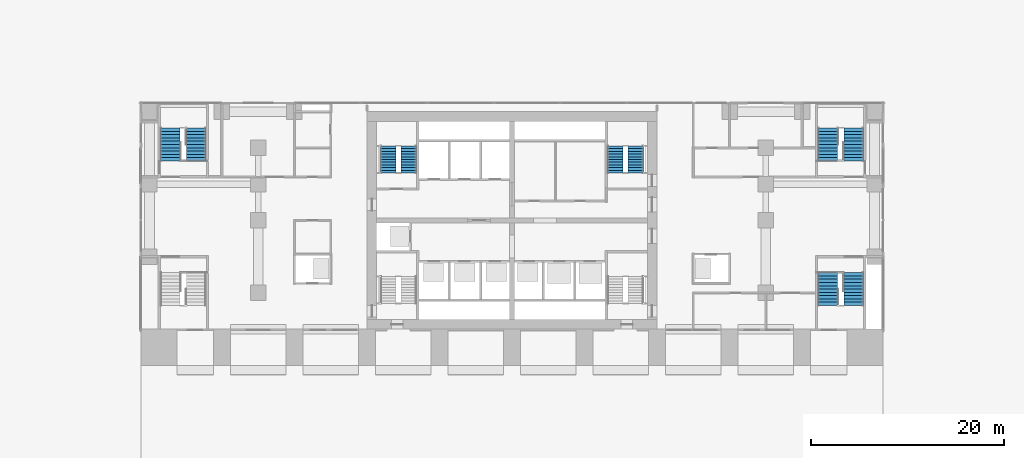
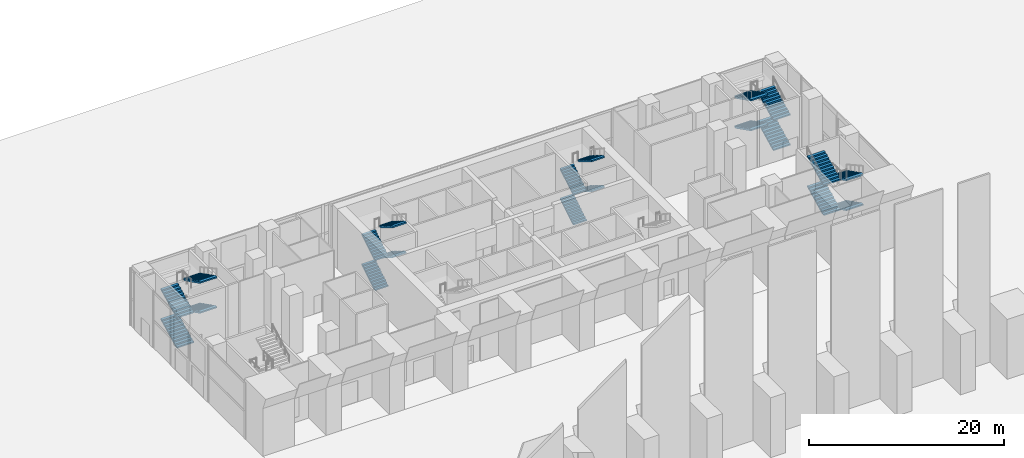
# One storey, part 16 of 21: 20 stair flights, 5 elements without a shape of their own.
"""IFC4 building model written with IfcOpenShell, lengths in metres."""

from ifc_helpers import new_model, si_unit, direction, frame, origin, place, context, subcontext, project, spatial, polyline, outline, extrude, material, type_object, element, aggregate, save


model = new_model("IFC4")

# Units and contexts
model_context = context("Model", 3, precision=1e-05, world=origin(), true_north=direction((0.0, 1.0)))
body_context = subcontext(model_context, "Body", "Model", "MODEL_VIEW")
ifc_project = project(units=[si_unit("LENGTHUNIT", "METRE"), si_unit("AREAUNIT", "SQUARE_METRE"), si_unit("VOLUMEUNIT", "CUBIC_METRE"), si_unit("PLANEANGLEUNIT", "RADIAN"), si_unit("MASSUNIT", "GRAM", prefix="KILO")], contexts=[model_context])

# Site, building, storey
site_placement = place(None, origin())
site = spatial("IfcSite", under=ifc_project, at=site_placement, CompositionType="ELEMENT")
building_placement = place(site_placement, origin())
building = spatial("IfcBuilding", under=site, at=building_placement, Name="Pilkhan Gate Tower", CompositionType="ELEMENT")
storey_placement = place(building_placement, origin())
storey = spatial("IfcBuildingStorey", under=building, at=storey_placement, Name="L00", CompositionType="ELEMENT", Elevation=0.0)

# Stair, stair flights
ifc_material = material(Name="Concrete C40/50 precast", Category="concrete")
stair_type_1 = type_object("IfcStairType", Name="Stair PS1 170x340", PredefinedType="HALF_TURN_STAIR", material=ifc_material)
stair_1_placement = place(storey_placement, origin())
stair_1 = element("IfcStair", 1, at=stair_1_placement, inside=storey, type_object=stair_type_1, Name="Stair PS1 L00", PredefinedType="HALF_TURN_STAIR")
stair_flight_type_1 = type_object("IfcStairFlightType", Name="Stair flight PS1 170x340x11", PredefinedType="STRAIGHT", material=ifc_material)
stair_flight_1_placement = place(storey_placement, frame((39.64990234375, 88.64990234375, 0.0), z_axis=(0.0, 0.0, 1.0), x_axis=(0.0, 1.0, 0.0)))
stair_flight_1 = element("IfcStairFlight", 2, at=stair_flight_1_placement, type_object=stair_flight_type_1, Name="PS1 flight 1", NumberOfRisers=11, NumberOfTreads=10, PredefinedType="STRAIGHT", RiserHeight=0.170454545, TreadLength=0.34, context=body_context, shape_type="SweptSolid", body=[
    extrude(outline(polyline([(0.0, 0.0), (0.0, 0.17041015625), (0.340087890625, 0.17041015625), (0.340087890625, 0.3408203125), (0.679931640625, 0.3408203125), (0.679931640625, 0.511474609375), (1.02001953125, 0.511474609375), (1.02001953125, 0.681884765625), (1.360107421875, 0.681884765625), (1.360107421875, 0.852294921875), (1.699951171875, 0.852294921875), (1.699951171875, 1.022705078125), (2.0400390625, 1.022705078125), (2.0400390625, 1.193115234375), (2.3798828125, 1.193115234375), (2.3798828125, 1.363525390625), (2.719970703125, 1.363525390625), (2.719970703125, 1.5341796875), (3.06005859375, 1.5341796875), (3.06005859375, 1.70458984375), (3.39990234375, 1.70458984375), (3.39990234375, 1.875), (3.39990234375, 1.536865234375), (0.33447265625, 0.0), (0.0, 0.0)])), frame((0.0, 1.0, 0.0), z_axis=(0.0, -1.0, 0.0), x_axis=(1.0, 0.0, 0.0)), (0.0, 0.0, 1.0), 2.0),
])
stair_flight_2_placement = place(storey_placement, frame((42.35009765625, 92.050048828125, 1.875), z_axis=(0.0, 0.0, 1.0), x_axis=(0.0, -1.0, 0.0)))
stair_flight_2 = element("IfcStairFlight", 3, at=stair_flight_2_placement, type_object=stair_flight_type_1, Name="PS1 flight 2", NumberOfRisers=11, NumberOfTreads=10, PredefinedType="STRAIGHT", RiserHeight=0.170454545, TreadLength=0.34, context=body_context, shape_type="SweptSolid", body=[
    extrude(outline(polyline([(0.0, 0.0), (0.0, 0.17041015625), (0.340087890625, 0.17041015625), (0.340087890625, 0.3408203125), (0.679931640625, 0.3408203125), (0.679931640625, 0.511474609375), (1.02001953125, 0.511474609375), (1.02001953125, 0.681884765625), (1.360107421875, 0.681884765625), (1.360107421875, 0.852294921875), (1.699951171875, 0.852294921875), (1.699951171875, 1.022705078125), (2.0400390625, 1.022705078125), (2.0400390625, 1.193115234375), (2.3798828125, 1.193115234375), (2.3798828125, 1.363525390625), (2.719970703125, 1.363525390625), (2.719970703125, 1.5341796875), (3.06005859375, 1.5341796875), (3.06005859375, 1.70458984375), (3.39990234375, 1.70458984375), (3.39990234375, 1.875), (3.39990234375, 1.536865234375), (0.33447265625, 0.0), (0.0, 0.0)])), frame((0.0, 1.0, 0.0), z_axis=(0.0, -1.0, 0.0), x_axis=(1.0, 0.0, 0.0)), (0.0, 0.0, 1.0), 2.0),
])
stair_flight_3_placement = place(storey_placement, frame((39.64990234375, 88.64990234375, 3.75), z_axis=(0.0, 0.0, 1.0), x_axis=(0.0, 1.0, 0.0)))
stair_flight_3 = element("IfcStairFlight", 4, at=stair_flight_3_placement, type_object=stair_flight_type_1, Name="PS1 flight 3", NumberOfRisers=11, NumberOfTreads=10, PredefinedType="STRAIGHT", RiserHeight=0.170454545, TreadLength=0.34, context=body_context, shape_type="SweptSolid", body=[
    extrude(outline(polyline([(0.0, 0.0), (0.0, 0.17041015625), (0.340087890625, 0.17041015625), (0.340087890625, 0.3408203125), (0.679931640625, 0.3408203125), (0.679931640625, 0.511474609375), (1.02001953125, 0.511474609375), (1.02001953125, 0.681884765625), (1.360107421875, 0.681884765625), (1.360107421875, 0.852294921875), (1.699951171875, 0.852294921875), (1.699951171875, 1.022705078125), (2.0400390625, 1.022705078125), (2.0400390625, 1.193115234375), (2.3798828125, 1.193115234375), (2.3798828125, 1.363525390625), (2.719970703125, 1.363525390625), (2.719970703125, 1.5341796875), (3.06005859375, 1.5341796875), (3.06005859375, 1.70458984375), (3.39990234375, 1.70458984375), (3.39990234375, 1.875), (3.39990234375, 1.536865234375), (0.33447265625, 0.0), (0.0, 0.0)])), frame((0.0, 1.0, 0.0), z_axis=(0.0, -1.0, 0.0), x_axis=(1.0, 0.0, 0.0)), (0.0, 0.0, 1.0), 2.0),
])
stair_flight_4_placement = place(storey_placement, frame((42.35009765625, 92.050048828125, 5.625), z_axis=(0.0, 0.0, 1.0), x_axis=(0.0, -1.0, 0.0)))
stair_flight_4 = element("IfcStairFlight", 5, at=stair_flight_4_placement, type_object=stair_flight_type_1, Name="PS1 flight 4", NumberOfRisers=11, NumberOfTreads=10, PredefinedType="STRAIGHT", RiserHeight=0.170454545, TreadLength=0.34, context=body_context, shape_type="SweptSolid", body=[
    extrude(outline(polyline([(0.0, 0.0), (0.0, 0.17041015625), (0.340087890625, 0.17041015625), (0.340087890625, 0.3408203125), (0.679931640625, 0.3408203125), (0.679931640625, 0.511474609375), (1.02001953125, 0.511474609375), (1.02001953125, 0.681884765625), (1.360107421875, 0.681884765625), (1.360107421875, 0.852294921875), (1.699951171875, 0.852294921875), (1.699951171875, 1.022705078125), (2.0400390625, 1.022705078125), (2.0400390625, 1.193115234375), (2.3798828125, 1.193115234375), (2.3798828125, 1.363525390625), (2.719970703125, 1.363525390625), (2.719970703125, 1.5341796875), (3.06005859375, 1.5341796875), (3.06005859375, 1.70458984375), (3.39990234375, 1.70458984375), (3.39990234375, 1.875), (3.39990234375, 1.536865234375), (0.33447265625, 0.0), (0.0, 0.0)])), frame((0.0, 1.0, 0.0), z_axis=(0.0, -1.0, 0.0), x_axis=(1.0, 0.0, 0.0)), (0.0, 0.0, 1.0), 2.0),
])
aggregate(stair_1, [stair_flight_1, stair_flight_2, stair_flight_3, stair_flight_4])

stair_type_2 = type_object("IfcStairType", Name="Stair PS2 170x340", PredefinedType="HALF_TURN_STAIR", material=ifc_material)
stair_2_placement = place(storey_placement, origin())
stair_2 = element("IfcStair", 6, at=stair_2_placement, inside=storey, type_object=stair_type_2, Name="Stair PS2 L00", PredefinedType="HALF_TURN_STAIR")
stair_flight_type_2 = type_object("IfcStairFlightType", Name="Stair flight PS2 170x340x11", PredefinedType="STRAIGHT", material=ifc_material)
stair_flight_5_placement = place(storey_placement, frame((110.35009765625, 88.64990234375, 0.0), z_axis=(0.0, 0.0, 1.0), x_axis=(0.0, 1.0, 0.0)))
stair_flight_5 = element("IfcStairFlight", 7, at=stair_flight_5_placement, type_object=stair_flight_type_2, Name="PS2 flight 1", NumberOfRisers=11, NumberOfTreads=10, PredefinedType="STRAIGHT", RiserHeight=0.170454545, TreadLength=0.34, context=body_context, shape_type="SweptSolid", body=[
    extrude(outline(polyline([(0.0, 0.0), (0.0, 0.17041015625), (0.340087890625, 0.17041015625), (0.340087890625, 0.3408203125), (0.679931640625, 0.3408203125), (0.679931640625, 0.511474609375), (1.02001953125, 0.511474609375), (1.02001953125, 0.681884765625), (1.360107421875, 0.681884765625), (1.360107421875, 0.852294921875), (1.699951171875, 0.852294921875), (1.699951171875, 1.022705078125), (2.0400390625, 1.022705078125), (2.0400390625, 1.193115234375), (2.3798828125, 1.193115234375), (2.3798828125, 1.363525390625), (2.719970703125, 1.363525390625), (2.719970703125, 1.5341796875), (3.06005859375, 1.5341796875), (3.06005859375, 1.70458984375), (3.39990234375, 1.70458984375), (3.39990234375, 1.875), (3.39990234375, 1.536865234375), (0.33447265625, 0.0), (0.0, 0.0)])), frame((0.0, 1.0, 0.0), z_axis=(0.0, -1.0, 0.0), x_axis=(1.0, 0.0, 0.0)), (0.0, 0.0, 1.0), 2.0),
])
stair_flight_6_placement = place(storey_placement, frame((107.64990234375, 92.050048828125, 1.875), z_axis=(0.0, 0.0, 1.0), x_axis=(0.0, -1.0, 0.0)))
stair_flight_6 = element("IfcStairFlight", 8, at=stair_flight_6_placement, type_object=stair_flight_type_2, Name="PS2 flight 2", NumberOfRisers=11, NumberOfTreads=10, PredefinedType="STRAIGHT", RiserHeight=0.170454545, TreadLength=0.34, context=body_context, shape_type="SweptSolid", body=[
    extrude(outline(polyline([(0.0, 0.0), (0.0, 0.17041015625), (0.340087890625, 0.17041015625), (0.340087890625, 0.3408203125), (0.679931640625, 0.3408203125), (0.679931640625, 0.511474609375), (1.02001953125, 0.511474609375), (1.02001953125, 0.681884765625), (1.360107421875, 0.681884765625), (1.360107421875, 0.852294921875), (1.699951171875, 0.852294921875), (1.699951171875, 1.022705078125), (2.0400390625, 1.022705078125), (2.0400390625, 1.193115234375), (2.3798828125, 1.193115234375), (2.3798828125, 1.363525390625), (2.719970703125, 1.363525390625), (2.719970703125, 1.5341796875), (3.06005859375, 1.5341796875), (3.06005859375, 1.70458984375), (3.39990234375, 1.70458984375), (3.39990234375, 1.875), (3.39990234375, 1.536865234375), (0.33447265625, 0.0), (0.0, 0.0)])), frame((0.0, 1.0, 0.0), z_axis=(0.0, -1.0, 0.0), x_axis=(1.0, 0.0, 0.0)), (0.0, 0.0, 1.0), 2.0),
])
stair_flight_7_placement = place(storey_placement, frame((110.35009765625, 88.64990234375, 3.75), z_axis=(0.0, 0.0, 1.0), x_axis=(0.0, 1.0, 0.0)))
stair_flight_7 = element("IfcStairFlight", 9, at=stair_flight_7_placement, type_object=stair_flight_type_2, Name="PS2 flight 3", NumberOfRisers=11, NumberOfTreads=10, PredefinedType="STRAIGHT", RiserHeight=0.170454545, TreadLength=0.34, context=body_context, shape_type="SweptSolid", body=[
    extrude(outline(polyline([(0.0, 0.0), (0.0, 0.17041015625), (0.340087890625, 0.17041015625), (0.340087890625, 0.3408203125), (0.679931640625, 0.3408203125), (0.679931640625, 0.511474609375), (1.02001953125, 0.511474609375), (1.02001953125, 0.681884765625), (1.360107421875, 0.681884765625), (1.360107421875, 0.852294921875), (1.699951171875, 0.852294921875), (1.699951171875, 1.022705078125), (2.0400390625, 1.022705078125), (2.0400390625, 1.193115234375), (2.3798828125, 1.193115234375), (2.3798828125, 1.363525390625), (2.719970703125, 1.363525390625), (2.719970703125, 1.5341796875), (3.06005859375, 1.5341796875), (3.06005859375, 1.70458984375), (3.39990234375, 1.70458984375), (3.39990234375, 1.875), (3.39990234375, 1.536865234375), (0.33447265625, 0.0), (0.0, 0.0)])), frame((0.0, 1.0, 0.0), z_axis=(0.0, -1.0, 0.0), x_axis=(1.0, 0.0, 0.0)), (0.0, 0.0, 1.0), 2.0),
])
stair_flight_8_placement = place(storey_placement, frame((107.64990234375, 92.050048828125, 5.625), z_axis=(0.0, 0.0, 1.0), x_axis=(0.0, -1.0, 0.0)))
stair_flight_8 = element("IfcStairFlight", 10, at=stair_flight_8_placement, type_object=stair_flight_type_2, Name="PS2 flight 4", NumberOfRisers=11, NumberOfTreads=10, PredefinedType="STRAIGHT", RiserHeight=0.170454545, TreadLength=0.34, context=body_context, shape_type="SweptSolid", body=[
    extrude(outline(polyline([(0.0, 0.0), (0.0, 0.17041015625), (0.340087890625, 0.17041015625), (0.340087890625, 0.3408203125), (0.679931640625, 0.3408203125), (0.679931640625, 0.511474609375), (1.02001953125, 0.511474609375), (1.02001953125, 0.681884765625), (1.360107421875, 0.681884765625), (1.360107421875, 0.852294921875), (1.699951171875, 0.852294921875), (1.699951171875, 1.022705078125), (2.0400390625, 1.022705078125), (2.0400390625, 1.193115234375), (2.3798828125, 1.193115234375), (2.3798828125, 1.363525390625), (2.719970703125, 1.363525390625), (2.719970703125, 1.5341796875), (3.06005859375, 1.5341796875), (3.06005859375, 1.70458984375), (3.39990234375, 1.70458984375), (3.39990234375, 1.875), (3.39990234375, 1.536865234375), (0.33447265625, 0.0), (0.0, 0.0)])), frame((0.0, 1.0, 0.0), z_axis=(0.0, -1.0, 0.0), x_axis=(1.0, 0.0, 0.0)), (0.0, 0.0, 1.0), 2.0),
])
aggregate(stair_2, [stair_flight_5, stair_flight_6, stair_flight_7, stair_flight_8])

stair_type_3 = type_object("IfcStairType", Name="Stair PS4 170x340", PredefinedType="HALF_TURN_STAIR", material=ifc_material)
stair_3_placement = place(storey_placement, origin())
stair_3 = element("IfcStair", 11, at=stair_3_placement, inside=storey, type_object=stair_type_3, Name="Stair PS4 L00", PredefinedType="HALF_TURN_STAIR")
stair_flight_type_3 = type_object("IfcStairFlightType", Name="Stair flight PS4 170x340x11", PredefinedType="STRAIGHT", material=ifc_material)
stair_flight_9_placement = place(storey_placement, frame((110.35009765625, 77.10009765625, 0.0), z_axis=(0.0, 0.0, 1.0), x_axis=(0.0, -1.0, 0.0)))
stair_flight_9 = element("IfcStairFlight", 12, at=stair_flight_9_placement, type_object=stair_flight_type_3, Name="PS4 flight 1", NumberOfRisers=11, NumberOfTreads=10, PredefinedType="STRAIGHT", RiserHeight=0.170454545, TreadLength=0.34, context=body_context, shape_type="SweptSolid", body=[
    extrude(outline(polyline([(0.0, 0.0), (0.0, 0.17041015625), (0.340087890625, 0.17041015625), (0.340087890625, 0.3408203125), (0.679931640625, 0.3408203125), (0.679931640625, 0.511474609375), (1.02001953125, 0.511474609375), (1.02001953125, 0.681884765625), (1.360107421875, 0.681884765625), (1.360107421875, 0.852294921875), (1.699951171875, 0.852294921875), (1.699951171875, 1.022705078125), (2.0400390625, 1.022705078125), (2.0400390625, 1.193115234375), (2.3798828125, 1.193115234375), (2.3798828125, 1.363525390625), (2.719970703125, 1.363525390625), (2.719970703125, 1.5341796875), (3.06005859375, 1.5341796875), (3.06005859375, 1.70458984375), (3.39990234375, 1.70458984375), (3.39990234375, 1.875), (3.39990234375, 1.536865234375), (0.33447265625, 0.0), (0.0, 0.0)])), frame((0.0, 1.0, 0.0), z_axis=(0.0, -1.0, 0.0), x_axis=(1.0, 0.0, 0.0)), (0.0, 0.0, 1.0), 2.0),
])
stair_flight_10_placement = place(storey_placement, frame((107.64990234375, 73.699951171875, 1.875), z_axis=(0.0, 0.0, 1.0), x_axis=(0.0, 1.0, 0.0)))
stair_flight_10 = element("IfcStairFlight", 13, at=stair_flight_10_placement, type_object=stair_flight_type_3, Name="PS4 flight 2", NumberOfRisers=11, NumberOfTreads=10, PredefinedType="STRAIGHT", RiserHeight=0.170454545, TreadLength=0.34, context=body_context, shape_type="SweptSolid", body=[
    extrude(outline(polyline([(0.0, 0.0), (0.0, 0.17041015625), (0.340087890625, 0.17041015625), (0.340087890625, 0.3408203125), (0.679931640625, 0.3408203125), (0.679931640625, 0.511474609375), (1.02001953125, 0.511474609375), (1.02001953125, 0.681884765625), (1.360107421875, 0.681884765625), (1.360107421875, 0.852294921875), (1.699951171875, 0.852294921875), (1.699951171875, 1.022705078125), (2.0400390625, 1.022705078125), (2.0400390625, 1.193115234375), (2.3798828125, 1.193115234375), (2.3798828125, 1.363525390625), (2.719970703125, 1.363525390625), (2.719970703125, 1.5341796875), (3.06005859375, 1.5341796875), (3.06005859375, 1.70458984375), (3.39990234375, 1.70458984375), (3.39990234375, 1.875), (3.39990234375, 1.536865234375), (0.33447265625, 0.0), (0.0, 0.0)])), frame((0.0, 1.0, 0.0), z_axis=(0.0, -1.0, 0.0), x_axis=(1.0, 0.0, 0.0)), (0.0, 0.0, 1.0), 2.0),
])
stair_flight_11_placement = place(storey_placement, frame((110.35009765625, 77.10009765625, 3.75), z_axis=(0.0, 0.0, 1.0), x_axis=(0.0, -1.0, 0.0)))
stair_flight_11 = element("IfcStairFlight", 14, at=stair_flight_11_placement, type_object=stair_flight_type_3, Name="PS4 flight 3", NumberOfRisers=11, NumberOfTreads=10, PredefinedType="STRAIGHT", RiserHeight=0.170454545, TreadLength=0.34, context=body_context, shape_type="SweptSolid", body=[
    extrude(outline(polyline([(0.0, 0.0), (0.0, 0.17041015625), (0.340087890625, 0.17041015625), (0.340087890625, 0.3408203125), (0.679931640625, 0.3408203125), (0.679931640625, 0.511474609375), (1.02001953125, 0.511474609375), (1.02001953125, 0.681884765625), (1.360107421875, 0.681884765625), (1.360107421875, 0.852294921875), (1.699951171875, 0.852294921875), (1.699951171875, 1.022705078125), (2.0400390625, 1.022705078125), (2.0400390625, 1.193115234375), (2.3798828125, 1.193115234375), (2.3798828125, 1.363525390625), (2.719970703125, 1.363525390625), (2.719970703125, 1.5341796875), (3.06005859375, 1.5341796875), (3.06005859375, 1.70458984375), (3.39990234375, 1.70458984375), (3.39990234375, 1.875), (3.39990234375, 1.536865234375), (0.33447265625, 0.0), (0.0, 0.0)])), frame((0.0, 1.0, 0.0), z_axis=(0.0, -1.0, 0.0), x_axis=(1.0, 0.0, 0.0)), (0.0, 0.0, 1.0), 2.0),
])
stair_flight_12_placement = place(storey_placement, frame((107.64990234375, 73.699951171875, 5.625), z_axis=(0.0, 0.0, 1.0), x_axis=(0.0, 1.0, 0.0)))
stair_flight_12 = element("IfcStairFlight", 15, at=stair_flight_12_placement, type_object=stair_flight_type_3, Name="PS4 flight 4", NumberOfRisers=11, NumberOfTreads=10, PredefinedType="STRAIGHT", RiserHeight=0.170454545, TreadLength=0.34, context=body_context, shape_type="SweptSolid", body=[
    extrude(outline(polyline([(0.0, 0.0), (0.0, 0.17041015625), (0.340087890625, 0.17041015625), (0.340087890625, 0.3408203125), (0.679931640625, 0.3408203125), (0.679931640625, 0.511474609375), (1.02001953125, 0.511474609375), (1.02001953125, 0.681884765625), (1.360107421875, 0.681884765625), (1.360107421875, 0.852294921875), (1.699951171875, 0.852294921875), (1.699951171875, 1.022705078125), (2.0400390625, 1.022705078125), (2.0400390625, 1.193115234375), (2.3798828125, 1.193115234375), (2.3798828125, 1.363525390625), (2.719970703125, 1.363525390625), (2.719970703125, 1.5341796875), (3.06005859375, 1.5341796875), (3.06005859375, 1.70458984375), (3.39990234375, 1.70458984375), (3.39990234375, 1.875), (3.39990234375, 1.536865234375), (0.33447265625, 0.0), (0.0, 0.0)])), frame((0.0, 1.0, 0.0), z_axis=(0.0, -1.0, 0.0), x_axis=(1.0, 0.0, 0.0)), (0.0, 0.0, 1.0), 2.0),
])
aggregate(stair_3, [stair_flight_9, stair_flight_10, stair_flight_11, stair_flight_12])

stair_type_4 = type_object("IfcStairType", Name="Stair ST3 170x280", PredefinedType="HALF_TURN_STAIR", material=ifc_material)
stair_4_placement = place(storey_placement, origin())
stair_4 = element("IfcStair", 16, at=stair_4_placement, inside=storey, type_object=stair_type_4, Name="Stair ST3 L00", PredefinedType="HALF_TURN_STAIR")
stair_flight_type_4 = type_object("IfcStairFlightType", Name="Stair flight ST3 170x280x11", PredefinedType="STRAIGHT", material=ifc_material)
stair_flight_13_placement = place(storey_placement, frame((62.18994140625, 87.39990234375, 0.0), z_axis=(0.0, 0.0, 1.0), x_axis=(0.0, 1.0, 0.0)))
stair_flight_13 = element("IfcStairFlight", 17, at=stair_flight_13_placement, type_object=stair_flight_type_4, Name="ST3 flight 1", NumberOfRisers=11, NumberOfTreads=10, PredefinedType="STRAIGHT", RiserHeight=0.170454545, TreadLength=0.28, context=body_context, shape_type="SweptSolid", body=[
    extrude(outline(polyline([(0.0, 0.0), (0.0, 0.17041015625), (0.280029296875, 0.17041015625), (0.280029296875, 0.3408203125), (0.56005859375, 0.3408203125), (0.56005859375, 0.511474609375), (0.840087890625, 0.511474609375), (0.840087890625, 0.681884765625), (1.1201171875, 0.681884765625), (1.1201171875, 0.852294921875), (1.39990234375, 0.852294921875), (1.39990234375, 1.022705078125), (1.679931640625, 1.022705078125), (1.679931640625, 1.193115234375), (1.9599609375, 1.193115234375), (1.9599609375, 1.363525390625), (2.239990234375, 1.363525390625), (2.239990234375, 1.5341796875), (2.52001953125, 1.5341796875), (2.52001953125, 1.70458984375), (2.800048828125, 1.70458984375), (2.800048828125, 1.875), (2.800048828125, 1.529052734375), (0.288330078125, 0.0), (0.0, 0.0)])), frame((0.0, 0.7900390625, 0.0), z_axis=(0.0, -1.0, 0.0), x_axis=(1.0, 0.0, 0.0)), (0.0, 0.0, 1.0), 1.580078125),
])
stair_flight_14_placement = place(storey_placement, frame((64.31005859375, 90.199951171875, 1.875), z_axis=(0.0, 0.0, 1.0), x_axis=(0.0, -1.0, 0.0)))
stair_flight_14 = element("IfcStairFlight", 18, at=stair_flight_14_placement, type_object=stair_flight_type_4, Name="ST3 flight 2", NumberOfRisers=11, NumberOfTreads=10, PredefinedType="STRAIGHT", RiserHeight=0.170454545, TreadLength=0.28, context=body_context, shape_type="SweptSolid", body=[
    extrude(outline(polyline([(0.0, 0.0), (0.0, 0.17041015625), (0.280029296875, 0.17041015625), (0.280029296875, 0.3408203125), (0.56005859375, 0.3408203125), (0.56005859375, 0.511474609375), (0.840087890625, 0.511474609375), (0.840087890625, 0.681884765625), (1.1201171875, 0.681884765625), (1.1201171875, 0.852294921875), (1.39990234375, 0.852294921875), (1.39990234375, 1.022705078125), (1.679931640625, 1.022705078125), (1.679931640625, 1.193115234375), (1.9599609375, 1.193115234375), (1.9599609375, 1.363525390625), (2.239990234375, 1.363525390625), (2.239990234375, 1.5341796875), (2.52001953125, 1.5341796875), (2.52001953125, 1.70458984375), (2.800048828125, 1.70458984375), (2.800048828125, 1.875), (2.800048828125, 1.529052734375), (0.288330078125, 0.0), (0.0, 0.0)])), frame((0.0, 0.7900390625, 0.0), z_axis=(0.0, -1.0, 0.0), x_axis=(1.0, 0.0, 0.0)), (0.0, 0.0, 1.0), 1.580078125),
])
stair_flight_15_placement = place(storey_placement, frame((62.18994140625, 87.39990234375, 3.75), z_axis=(0.0, 0.0, 1.0), x_axis=(0.0, 1.0, 0.0)))
stair_flight_15 = element("IfcStairFlight", 19, at=stair_flight_15_placement, type_object=stair_flight_type_4, Name="ST3 flight 3", NumberOfRisers=11, NumberOfTreads=10, PredefinedType="STRAIGHT", RiserHeight=0.170454545, TreadLength=0.28, context=body_context, shape_type="SweptSolid", body=[
    extrude(outline(polyline([(0.0, 0.0), (0.0, 0.17041015625), (0.280029296875, 0.17041015625), (0.280029296875, 0.3408203125), (0.56005859375, 0.3408203125), (0.56005859375, 0.511474609375), (0.840087890625, 0.511474609375), (0.840087890625, 0.681884765625), (1.1201171875, 0.681884765625), (1.1201171875, 0.852294921875), (1.39990234375, 0.852294921875), (1.39990234375, 1.022705078125), (1.679931640625, 1.022705078125), (1.679931640625, 1.193115234375), (1.9599609375, 1.193115234375), (1.9599609375, 1.363525390625), (2.239990234375, 1.363525390625), (2.239990234375, 1.5341796875), (2.52001953125, 1.5341796875), (2.52001953125, 1.70458984375), (2.800048828125, 1.70458984375), (2.800048828125, 1.875), (2.800048828125, 1.529052734375), (0.288330078125, 0.0), (0.0, 0.0)])), frame((0.0, 0.7900390625, 0.0), z_axis=(0.0, -1.0, 0.0), x_axis=(1.0, 0.0, 0.0)), (0.0, 0.0, 1.0), 1.580078125),
])
stair_flight_16_placement = place(storey_placement, frame((64.31005859375, 90.199951171875, 5.625), z_axis=(0.0, 0.0, 1.0), x_axis=(0.0, -1.0, 0.0)))
stair_flight_16 = element("IfcStairFlight", 20, at=stair_flight_16_placement, type_object=stair_flight_type_4, Name="ST3 flight 4", NumberOfRisers=11, NumberOfTreads=10, PredefinedType="STRAIGHT", RiserHeight=0.170454545, TreadLength=0.28, context=body_context, shape_type="SweptSolid", body=[
    extrude(outline(polyline([(0.0, 0.0), (0.0, 0.17041015625), (0.280029296875, 0.17041015625), (0.280029296875, 0.3408203125), (0.56005859375, 0.3408203125), (0.56005859375, 0.511474609375), (0.840087890625, 0.511474609375), (0.840087890625, 0.681884765625), (1.1201171875, 0.681884765625), (1.1201171875, 0.852294921875), (1.39990234375, 0.852294921875), (1.39990234375, 1.022705078125), (1.679931640625, 1.022705078125), (1.679931640625, 1.193115234375), (1.9599609375, 1.193115234375), (1.9599609375, 1.363525390625), (2.239990234375, 1.363525390625), (2.239990234375, 1.5341796875), (2.52001953125, 1.5341796875), (2.52001953125, 1.70458984375), (2.800048828125, 1.70458984375), (2.800048828125, 1.875), (2.800048828125, 1.529052734375), (0.288330078125, 0.0), (0.0, 0.0)])), frame((0.0, 0.7900390625, 0.0), z_axis=(0.0, -1.0, 0.0), x_axis=(1.0, 0.0, 0.0)), (0.0, 0.0, 1.0), 1.580078125),
])
aggregate(stair_4, [stair_flight_13, stair_flight_14, stair_flight_15, stair_flight_16])

stair_type_5 = type_object("IfcStairType", Name="Stair ST4 170x280", PredefinedType="HALF_TURN_STAIR", material=ifc_material)
stair_5_placement = place(storey_placement, origin())
stair_5 = element("IfcStair", 21, at=stair_5_placement, inside=storey, type_object=stair_type_5, Name="Stair ST4 L00", PredefinedType="HALF_TURN_STAIR")
stair_flight_type_5 = type_object("IfcStairFlightType", Name="Stair flight ST4 170x280x11", PredefinedType="STRAIGHT", material=ifc_material)
stair_flight_17_placement = place(storey_placement, frame((85.68994140625, 87.39990234375, 0.0), z_axis=(0.0, 0.0, 1.0), x_axis=(0.0, 1.0, 0.0)))
stair_flight_17 = element("IfcStairFlight", 22, at=stair_flight_17_placement, type_object=stair_flight_type_5, Name="ST4 flight 1", NumberOfRisers=11, NumberOfTreads=10, PredefinedType="STRAIGHT", RiserHeight=0.170454545, TreadLength=0.28, context=body_context, shape_type="SweptSolid", body=[
    extrude(outline(polyline([(0.0, 0.0), (0.0, 0.17041015625), (0.280029296875, 0.17041015625), (0.280029296875, 0.3408203125), (0.56005859375, 0.3408203125), (0.56005859375, 0.511474609375), (0.840087890625, 0.511474609375), (0.840087890625, 0.681884765625), (1.1201171875, 0.681884765625), (1.1201171875, 0.852294921875), (1.39990234375, 0.852294921875), (1.39990234375, 1.022705078125), (1.679931640625, 1.022705078125), (1.679931640625, 1.193115234375), (1.9599609375, 1.193115234375), (1.9599609375, 1.363525390625), (2.239990234375, 1.363525390625), (2.239990234375, 1.5341796875), (2.52001953125, 1.5341796875), (2.52001953125, 1.70458984375), (2.800048828125, 1.70458984375), (2.800048828125, 1.875), (2.800048828125, 1.529052734375), (0.288330078125, 0.0), (0.0, 0.0)])), frame((0.0, 0.7900390625, 0.0), z_axis=(0.0, -1.0, 0.0), x_axis=(1.0, 0.0, 0.0)), (0.0, 0.0, 1.0), 1.580078125),
])
stair_flight_18_placement = place(storey_placement, frame((87.81005859375, 90.199951171875, 1.875), z_axis=(0.0, 0.0, 1.0), x_axis=(0.0, -1.0, 0.0)))
stair_flight_18 = element("IfcStairFlight", 23, at=stair_flight_18_placement, type_object=stair_flight_type_5, Name="ST4 flight 2", NumberOfRisers=11, NumberOfTreads=10, PredefinedType="STRAIGHT", RiserHeight=0.170454545, TreadLength=0.28, context=body_context, shape_type="SweptSolid", body=[
    extrude(outline(polyline([(0.0, 0.0), (0.0, 0.17041015625), (0.280029296875, 0.17041015625), (0.280029296875, 0.3408203125), (0.56005859375, 0.3408203125), (0.56005859375, 0.511474609375), (0.840087890625, 0.511474609375), (0.840087890625, 0.681884765625), (1.1201171875, 0.681884765625), (1.1201171875, 0.852294921875), (1.39990234375, 0.852294921875), (1.39990234375, 1.022705078125), (1.679931640625, 1.022705078125), (1.679931640625, 1.193115234375), (1.9599609375, 1.193115234375), (1.9599609375, 1.363525390625), (2.239990234375, 1.363525390625), (2.239990234375, 1.5341796875), (2.52001953125, 1.5341796875), (2.52001953125, 1.70458984375), (2.800048828125, 1.70458984375), (2.800048828125, 1.875), (2.800048828125, 1.529052734375), (0.288330078125, 0.0), (0.0, 0.0)])), frame((0.0, 0.7900390625, 0.0), z_axis=(0.0, -1.0, 0.0), x_axis=(1.0, 0.0, 0.0)), (0.0, 0.0, 1.0), 1.580078125),
])
stair_flight_19_placement = place(storey_placement, frame((85.68994140625, 87.39990234375, 3.75), z_axis=(0.0, 0.0, 1.0), x_axis=(0.0, 1.0, 0.0)))
stair_flight_19 = element("IfcStairFlight", 24, at=stair_flight_19_placement, type_object=stair_flight_type_5, Name="ST4 flight 3", NumberOfRisers=11, NumberOfTreads=10, PredefinedType="STRAIGHT", RiserHeight=0.170454545, TreadLength=0.28, context=body_context, shape_type="SweptSolid", body=[
    extrude(outline(polyline([(0.0, 0.0), (0.0, 0.17041015625), (0.280029296875, 0.17041015625), (0.280029296875, 0.3408203125), (0.56005859375, 0.3408203125), (0.56005859375, 0.511474609375), (0.840087890625, 0.511474609375), (0.840087890625, 0.681884765625), (1.1201171875, 0.681884765625), (1.1201171875, 0.852294921875), (1.39990234375, 0.852294921875), (1.39990234375, 1.022705078125), (1.679931640625, 1.022705078125), (1.679931640625, 1.193115234375), (1.9599609375, 1.193115234375), (1.9599609375, 1.363525390625), (2.239990234375, 1.363525390625), (2.239990234375, 1.5341796875), (2.52001953125, 1.5341796875), (2.52001953125, 1.70458984375), (2.800048828125, 1.70458984375), (2.800048828125, 1.875), (2.800048828125, 1.529052734375), (0.288330078125, 0.0), (0.0, 0.0)])), frame((0.0, 0.7900390625, 0.0), z_axis=(0.0, -1.0, 0.0), x_axis=(1.0, 0.0, 0.0)), (0.0, 0.0, 1.0), 1.580078125),
])
stair_flight_20_placement = place(storey_placement, frame((87.81005859375, 90.199951171875, 5.625), z_axis=(0.0, 0.0, 1.0), x_axis=(0.0, -1.0, 0.0)))
stair_flight_20 = element("IfcStairFlight", 25, at=stair_flight_20_placement, type_object=stair_flight_type_5, Name="ST4 flight 4", NumberOfRisers=11, NumberOfTreads=10, PredefinedType="STRAIGHT", RiserHeight=0.170454545, TreadLength=0.28, context=body_context, shape_type="SweptSolid", body=[
    extrude(outline(polyline([(0.0, 0.0), (0.0, 0.17041015625), (0.280029296875, 0.17041015625), (0.280029296875, 0.3408203125), (0.56005859375, 0.3408203125), (0.56005859375, 0.511474609375), (0.840087890625, 0.511474609375), (0.840087890625, 0.681884765625), (1.1201171875, 0.681884765625), (1.1201171875, 0.852294921875), (1.39990234375, 0.852294921875), (1.39990234375, 1.022705078125), (1.679931640625, 1.022705078125), (1.679931640625, 1.193115234375), (1.9599609375, 1.193115234375), (1.9599609375, 1.363525390625), (2.239990234375, 1.363525390625), (2.239990234375, 1.5341796875), (2.52001953125, 1.5341796875), (2.52001953125, 1.70458984375), (2.800048828125, 1.70458984375), (2.800048828125, 1.875), (2.800048828125, 1.529052734375), (0.288330078125, 0.0), (0.0, 0.0)])), frame((0.0, 0.7900390625, 0.0), z_axis=(0.0, -1.0, 0.0), x_axis=(1.0, 0.0, 0.0)), (0.0, 0.0, 1.0), 1.580078125),
])
aggregate(stair_5, [stair_flight_17, stair_flight_18, stair_flight_19, stair_flight_20])

save(model, "model.ifc")
